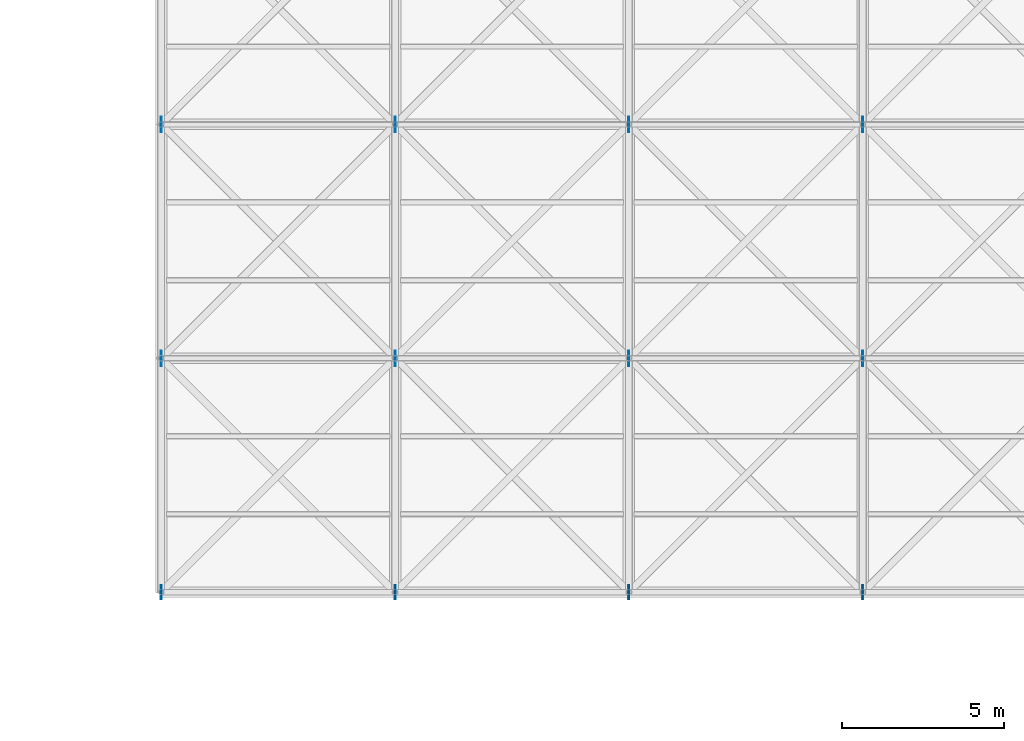
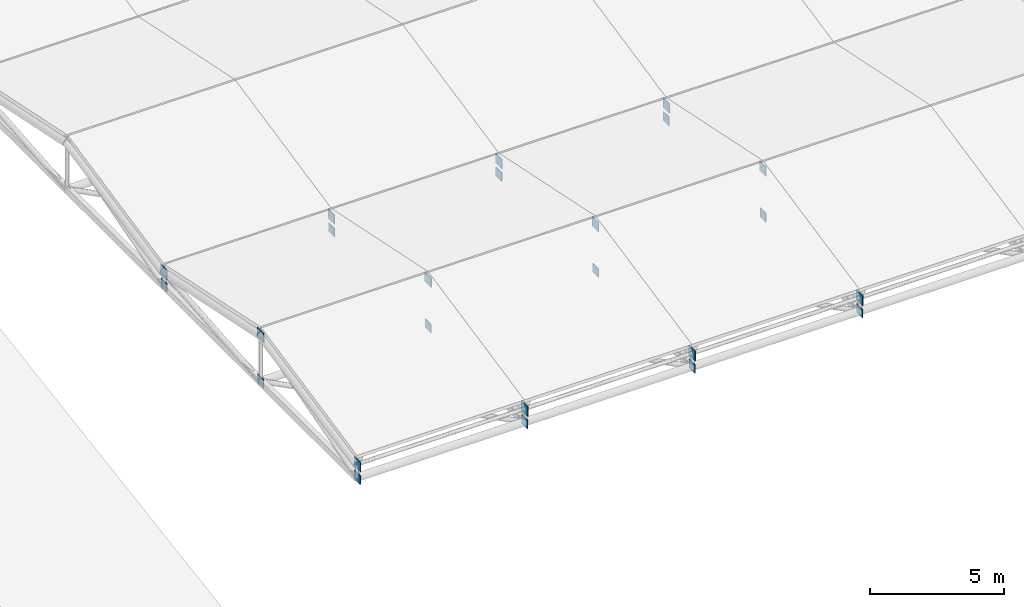
# One storey, part 65 of 72: 24 plates.
"""IFC4 building model written with IfcOpenShell, lengths in metres."""

from ifc_helpers import new_model, si_unit, direction, frame, origin, origin_2d, place, context, subcontext, project, spatial, rectangle, extrude, material, layer, layer_set, type_object, element, save


model = new_model("IFC4")

# Units and contexts
model_context = context("Model", 3, precision=1e-05, world=origin(), true_north=direction((0.0, 1.0)))
body_context = subcontext(model_context, "Body", "Model", "MODEL_VIEW")
ifc_project = project(units=[si_unit("LENGTHUNIT", "METRE"), si_unit("AREAUNIT", "SQUARE_METRE"), si_unit("VOLUMEUNIT", "CUBIC_METRE"), si_unit("PLANEANGLEUNIT", "RADIAN"), si_unit("MASSUNIT", "GRAM", prefix="KILO")], contexts=[model_context])

# Site, building, storey
site_placement = place(None, origin())
site = spatial("IfcSite", under=ifc_project, at=site_placement, CompositionType="ELEMENT")
building_placement = place(site_placement, origin())
building = spatial("IfcBuilding", under=site, at=building_placement, Name="Vaelcorin Mobility Hub", CompositionType="ELEMENT")
storey_placement = place(building_placement, frame((0.0, 0.0, 25.800048828125)))
storey = spatial("IfcBuildingStorey", under=building, at=storey_placement, Name="RF", CompositionType="ELEMENT", Elevation=25.800048828125)

# Plates
ifc_material = material(Name="Steel ASTM A572 Grade 50", Category="steel")
ifc_layer_1 = layer(ifc_material, 0.0380859375)
ifc_layer_set_1 = layer_set([ifc_layer_1], Name="Steel ASTM A572 Grade 50")
plate_type_1 = type_object("IfcPlateType", Name="PL-TN1", PredefinedType="USERDEFINED", material=ifc_layer_set_1)
for number, where, z_axis, x_axis, name in (
    (1, (43.199951171875, 84.0, -1.719970703125), (0.0, 0.0, 1.0), (1.0, 0.0, 0.0), "Sports Roof Truss Node TN1 1-0"),
    (2, (50.39990234375, 84.0, -1.719970703125), (0.0, 0.0, 1.0), (1.0, 0.0, 0.0), "Sports Roof Truss Node TN1 2-0"),
    (3, (57.60009765625, 84.0, -1.719970703125), (0.0, 0.0, 1.0), (1.0, 0.0, 0.0), "Sports Roof Truss Node TN1 3-0"),
    (4, (64.800048828125, 84.0, -1.719970703125), (0.0, 0.0, 1.0), (1.0, 0.0, 0.0), "Sports Roof Truss Node TN1 4-0"),
):
    element("IfcPlate", number, at=place(storey_placement, frame(where, z_axis=z_axis, x_axis=x_axis)), inside=storey, type_object=plate_type_1, Name=name, ObjectType="GUSSET PLATE", PredefinedType="USERDEFINED", context=body_context, shape_type="SweptSolid", body=[
        extrude(rectangle(XDim=0.0380859375, YDim=0.47998046875, at=origin_2d()), origin(), (0.0, 0.0, 1.0), 0.43994140625),
    ])
ifc_layer_2 = layer(ifc_material, 0.030029296875)
ifc_layer_set_2 = layer_set([ifc_layer_2], Name="Steel ASTM A572 Grade 50")
plate_type_2 = type_object("IfcPlateType", Name="PL-TN2", PredefinedType="USERDEFINED", material=ifc_layer_set_2)
plate_1_placement = place(storey_placement, frame((43.199951171875, 84.0, -2.300048828125), z_axis=(0.0, 0.0, 1.0), x_axis=(1.0, 0.0, 0.0)))
element("IfcPlate", 5, at=plate_1_placement, inside=storey, type_object=plate_type_2, Name="Sports Roof Truss Bottom Node 1-0", ObjectType="GUSSET PLATE", PredefinedType="USERDEFINED", context=body_context, shape_type="SweptSolid", body=[
    extrude(rectangle(XDim=0.030029296875, YDim=0.43994140625, at=origin_2d()), origin(), (0.0, 0.0, 1.0), 0.39990234375),
])
plate_2_placement = place(storey_placement, frame((43.199951171875, 91.199951171875, -0.219970703125), z_axis=(0.0, 0.0, 1.0), x_axis=(1.0, 0.0, 0.0)))
element("IfcPlate", 6, at=plate_2_placement, inside=storey, type_object=plate_type_2, Name="Sports Roof Truss Node TN2 1-1", ObjectType="GUSSET PLATE", PredefinedType="USERDEFINED", context=body_context, shape_type="SweptSolid", body=[
    extrude(rectangle(XDim=0.030029296875, YDim=0.47998046875, at=origin_2d()), origin(), (0.0, 0.0, 1.0), 0.43994140625),
])
plate_3_placement = place(storey_placement, frame((43.199951171875, 91.199951171875, -2.300048828125), z_axis=(0.0, 0.0, 1.0), x_axis=(1.0, 0.0, 0.0)))
element("IfcPlate", 7, at=plate_3_placement, inside=storey, type_object=plate_type_2, Name="Sports Roof Truss Bottom Node 1-1", ObjectType="GUSSET PLATE", PredefinedType="USERDEFINED", context=body_context, shape_type="SweptSolid", body=[
    extrude(rectangle(XDim=0.030029296875, YDim=0.43994140625, at=origin_2d()), origin(), (0.0, 0.0, 1.0), 0.39990234375),
])
plate_4_placement = place(storey_placement, frame((43.199951171875, 98.39990234375, -1.719970703125), z_axis=(0.0, 0.0, 1.0), x_axis=(1.0, 0.0, 0.0)))
element("IfcPlate", 8, at=plate_4_placement, inside=storey, type_object=plate_type_2, Name="Sports Roof Truss Node TN2 1-2", ObjectType="GUSSET PLATE", PredefinedType="USERDEFINED", context=body_context, shape_type="SweptSolid", body=[
    extrude(rectangle(XDim=0.030029296875, YDim=0.47998046875, at=origin_2d()), origin(), (0.0, 0.0, 1.0), 0.43994140625),
])
for number, where, z_axis, x_axis, name in (
    (9, (43.199951171875, 98.39990234375, -2.300048828125), (0.0, 0.0, 1.0), (1.0, 0.0, 0.0), "Sports Roof Truss Bottom Node 1-2"),
    (10, (50.39990234375, 84.0, -2.300048828125), (0.0, 0.0, 1.0), (1.0, 0.0, 0.0), "Sports Roof Truss Bottom Node 2-0"),
):
    element("IfcPlate", number, at=place(storey_placement, frame(where, z_axis=z_axis, x_axis=x_axis)), inside=storey, type_object=plate_type_2, Name=name, ObjectType="GUSSET PLATE", PredefinedType="USERDEFINED", context=body_context, shape_type="SweptSolid", body=[
        extrude(rectangle(XDim=0.030029296875, YDim=0.43994140625, at=origin_2d()), origin(), (0.0, 0.0, 1.0), 0.39990234375),
    ])
plate_5_placement = place(storey_placement, frame((50.39990234375, 91.199951171875, -0.219970703125), z_axis=(0.0, 0.0, 1.0), x_axis=(1.0, 0.0, 0.0)))
element("IfcPlate", 11, at=plate_5_placement, inside=storey, type_object=plate_type_2, Name="Sports Roof Truss Node TN2 2-1", ObjectType="GUSSET PLATE", PredefinedType="USERDEFINED", context=body_context, shape_type="SweptSolid", body=[
    extrude(rectangle(XDim=0.030029296875, YDim=0.47998046875, at=origin_2d()), origin(), (0.0, 0.0, 1.0), 0.43994140625),
])
plate_6_placement = place(storey_placement, frame((50.39990234375, 91.199951171875, -2.300048828125), z_axis=(0.0, 0.0, 1.0), x_axis=(1.0, 0.0, 0.0)))
element("IfcPlate", 12, at=plate_6_placement, inside=storey, type_object=plate_type_2, Name="Sports Roof Truss Bottom Node 2-1", ObjectType="GUSSET PLATE", PredefinedType="USERDEFINED", context=body_context, shape_type="SweptSolid", body=[
    extrude(rectangle(XDim=0.030029296875, YDim=0.43994140625, at=origin_2d()), origin(), (0.0, 0.0, 1.0), 0.39990234375),
])
plate_7_placement = place(storey_placement, frame((50.39990234375, 98.39990234375, -1.719970703125), z_axis=(0.0, 0.0, 1.0), x_axis=(1.0, 0.0, 0.0)))
element("IfcPlate", 13, at=plate_7_placement, inside=storey, type_object=plate_type_2, Name="Sports Roof Truss Node TN2 2-2", ObjectType="GUSSET PLATE", PredefinedType="USERDEFINED", context=body_context, shape_type="SweptSolid", body=[
    extrude(rectangle(XDim=0.030029296875, YDim=0.47998046875, at=origin_2d()), origin(), (0.0, 0.0, 1.0), 0.43994140625),
])
for number, where, z_axis, x_axis, name in (
    (14, (50.39990234375, 98.39990234375, -2.300048828125), (0.0, 0.0, 1.0), (1.0, 0.0, 0.0), "Sports Roof Truss Bottom Node 2-2"),
    (15, (57.60009765625, 84.0, -2.300048828125), (0.0, 0.0, 1.0), (1.0, 0.0, 0.0), "Sports Roof Truss Bottom Node 3-0"),
):
    element("IfcPlate", number, at=place(storey_placement, frame(where, z_axis=z_axis, x_axis=x_axis)), inside=storey, type_object=plate_type_2, Name=name, ObjectType="GUSSET PLATE", PredefinedType="USERDEFINED", context=body_context, shape_type="SweptSolid", body=[
        extrude(rectangle(XDim=0.030029296875, YDim=0.43994140625, at=origin_2d()), origin(), (0.0, 0.0, 1.0), 0.39990234375),
    ])
plate_8_placement = place(storey_placement, frame((57.60009765625, 91.199951171875, -0.219970703125), z_axis=(0.0, 0.0, 1.0), x_axis=(1.0, 0.0, 0.0)))
element("IfcPlate", 16, at=plate_8_placement, inside=storey, type_object=plate_type_2, Name="Sports Roof Truss Node TN2 3-1", ObjectType="GUSSET PLATE", PredefinedType="USERDEFINED", context=body_context, shape_type="SweptSolid", body=[
    extrude(rectangle(XDim=0.030029296875, YDim=0.47998046875, at=origin_2d()), origin(), (0.0, 0.0, 1.0), 0.43994140625),
])
plate_9_placement = place(storey_placement, frame((57.60009765625, 91.199951171875, -2.300048828125), z_axis=(0.0, 0.0, 1.0), x_axis=(1.0, 0.0, 0.0)))
element("IfcPlate", 17, at=plate_9_placement, inside=storey, type_object=plate_type_2, Name="Sports Roof Truss Bottom Node 3-1", ObjectType="GUSSET PLATE", PredefinedType="USERDEFINED", context=body_context, shape_type="SweptSolid", body=[
    extrude(rectangle(XDim=0.030029296875, YDim=0.43994140625, at=origin_2d()), origin(), (0.0, 0.0, 1.0), 0.39990234375),
])
plate_10_placement = place(storey_placement, frame((57.60009765625, 98.39990234375, -1.719970703125), z_axis=(0.0, 0.0, 1.0), x_axis=(1.0, 0.0, 0.0)))
element("IfcPlate", 18, at=plate_10_placement, inside=storey, type_object=plate_type_2, Name="Sports Roof Truss Node TN2 3-2", ObjectType="GUSSET PLATE", PredefinedType="USERDEFINED", context=body_context, shape_type="SweptSolid", body=[
    extrude(rectangle(XDim=0.030029296875, YDim=0.47998046875, at=origin_2d()), origin(), (0.0, 0.0, 1.0), 0.43994140625),
])
for number, where, z_axis, x_axis, name in (
    (19, (57.60009765625, 98.39990234375, -2.300048828125), (0.0, 0.0, 1.0), (1.0, 0.0, 0.0), "Sports Roof Truss Bottom Node 3-2"),
    (20, (64.800048828125, 84.0, -2.300048828125), (0.0, 0.0, 1.0), (1.0, 0.0, 0.0), "Sports Roof Truss Bottom Node 4-0"),
):
    element("IfcPlate", number, at=place(storey_placement, frame(where, z_axis=z_axis, x_axis=x_axis)), inside=storey, type_object=plate_type_2, Name=name, ObjectType="GUSSET PLATE", PredefinedType="USERDEFINED", context=body_context, shape_type="SweptSolid", body=[
        extrude(rectangle(XDim=0.030029296875, YDim=0.43994140625, at=origin_2d()), origin(), (0.0, 0.0, 1.0), 0.39990234375),
    ])
plate_11_placement = place(storey_placement, frame((64.800048828125, 91.199951171875, -0.219970703125), z_axis=(0.0, 0.0, 1.0), x_axis=(1.0, 0.0, 0.0)))
element("IfcPlate", 21, at=plate_11_placement, inside=storey, type_object=plate_type_2, Name="Sports Roof Truss Node TN2 4-1", ObjectType="GUSSET PLATE", PredefinedType="USERDEFINED", context=body_context, shape_type="SweptSolid", body=[
    extrude(rectangle(XDim=0.030029296875, YDim=0.47998046875, at=origin_2d()), origin(), (0.0, 0.0, 1.0), 0.43994140625),
])
plate_12_placement = place(storey_placement, frame((64.800048828125, 91.199951171875, -2.300048828125), z_axis=(0.0, 0.0, 1.0), x_axis=(1.0, 0.0, 0.0)))
element("IfcPlate", 22, at=plate_12_placement, inside=storey, type_object=plate_type_2, Name="Sports Roof Truss Bottom Node 4-1", ObjectType="GUSSET PLATE", PredefinedType="USERDEFINED", context=body_context, shape_type="SweptSolid", body=[
    extrude(rectangle(XDim=0.030029296875, YDim=0.43994140625, at=origin_2d()), origin(), (0.0, 0.0, 1.0), 0.39990234375),
])
plate_13_placement = place(storey_placement, frame((64.800048828125, 98.39990234375, -1.719970703125), z_axis=(0.0, 0.0, 1.0), x_axis=(1.0, 0.0, 0.0)))
element("IfcPlate", 23, at=plate_13_placement, inside=storey, type_object=plate_type_2, Name="Sports Roof Truss Node TN2 4-2", ObjectType="GUSSET PLATE", PredefinedType="USERDEFINED", context=body_context, shape_type="SweptSolid", body=[
    extrude(rectangle(XDim=0.030029296875, YDim=0.47998046875, at=origin_2d()), origin(), (0.0, 0.0, 1.0), 0.43994140625),
])
plate_14_placement = place(storey_placement, frame((64.800048828125, 98.39990234375, -2.300048828125), z_axis=(0.0, 0.0, 1.0), x_axis=(1.0, 0.0, 0.0)))
element("IfcPlate", 24, at=plate_14_placement, inside=storey, type_object=plate_type_2, Name="Sports Roof Truss Bottom Node 4-2", ObjectType="GUSSET PLATE", PredefinedType="USERDEFINED", context=body_context, shape_type="SweptSolid", body=[
    extrude(rectangle(XDim=0.030029296875, YDim=0.43994140625, at=origin_2d()), origin(), (0.0, 0.0, 1.0), 0.39990234375),
])

save(model, "model.ifc")
